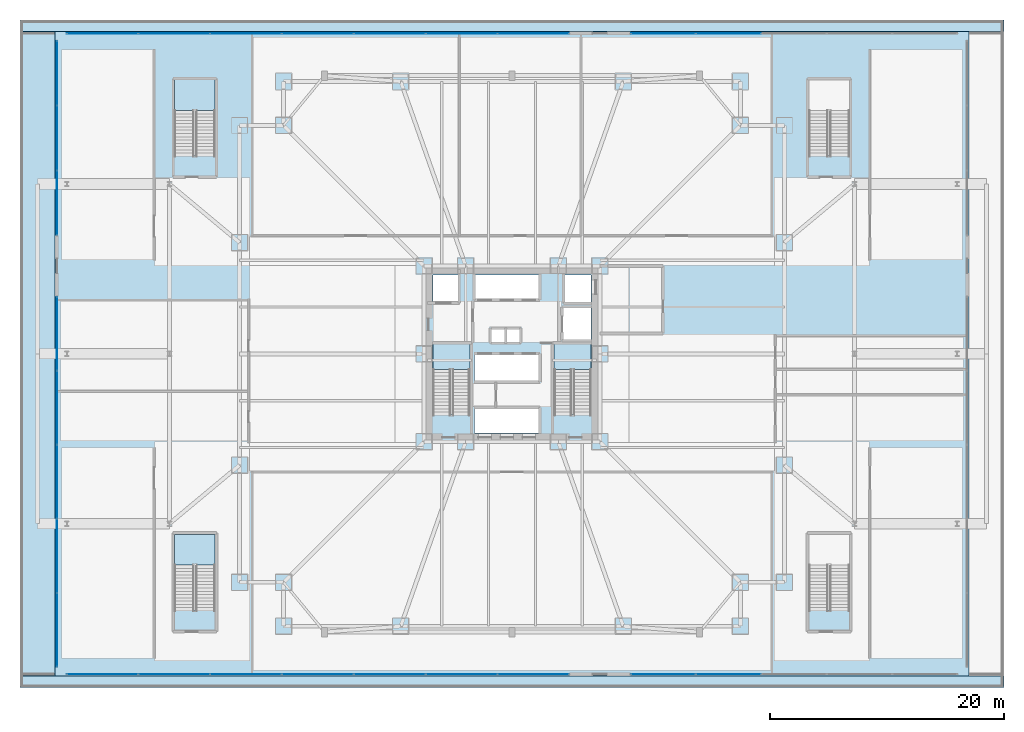
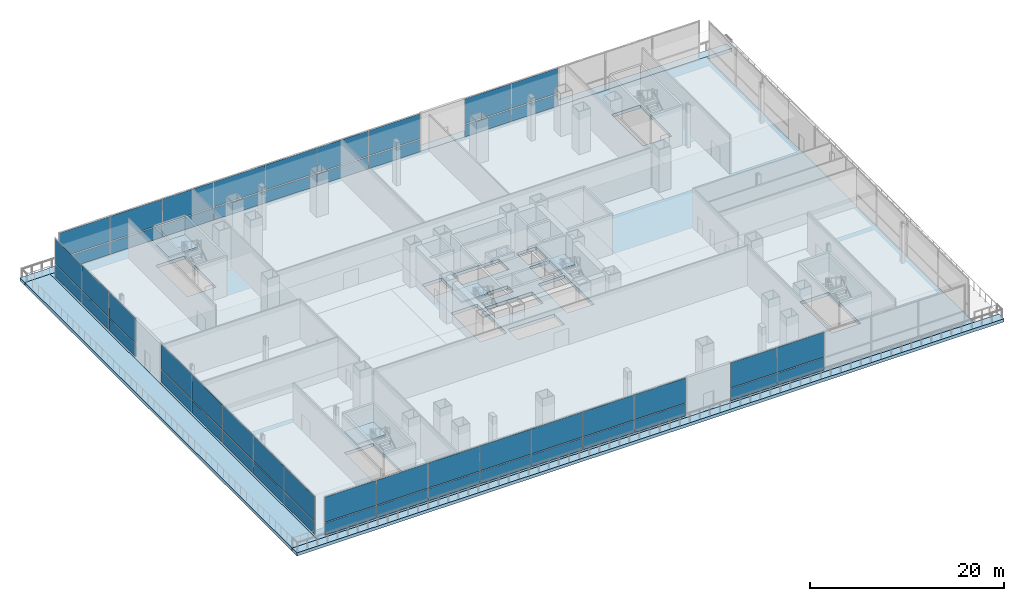
# One storey, part 19 of 36: 52 plates, 8 slabs, 10 elements without a shape of their own.
"""IFC4 building model written with IfcOpenShell, lengths in metres."""

from ifc_helpers import new_model, si_unit, direction, frame, origin, origin_2d, place, context, subcontext, project, spatial, polyline, rectangle, outline, extrude, material, layer, layer_set, type_object, element, aggregate, save


model = new_model("IFC4")

# Units and contexts
model_context = context("Model", 3, precision=1e-05, world=origin(), true_north=direction((0.0, 1.0)))
body_context = subcontext(model_context, "Body", "Model", "MODEL_VIEW")
ifc_project = project(units=[si_unit("LENGTHUNIT", "METRE"), si_unit("AREAUNIT", "SQUARE_METRE"), si_unit("VOLUMEUNIT", "CUBIC_METRE"), si_unit("PLANEANGLEUNIT", "RADIAN"), si_unit("MASSUNIT", "GRAM", prefix="KILO")], contexts=[model_context])

# Site, building, storey
site_placement = place(None, origin())
site = spatial("IfcSite", under=ifc_project, at=site_placement, CompositionType="ELEMENT")
building_placement = place(site_placement, origin())
building = spatial("IfcBuilding", under=site, at=building_placement, Name="Trevonay Congress Spire", CompositionType="ELEMENT")
storey_placement = place(building_placement, frame((0.0, 0.0, 5.39990234375)))
storey = spatial("IfcBuildingStorey", under=building, at=storey_placement, Name="L01", CompositionType="ELEMENT", Elevation=5.39990234375)

# Curtain wall, plates
ifc_material_1 = material(Name="Pale Anodised Aluminium EN AW-6063-T6", Category="aluminium")
ifc_layer_1 = layer(ifc_material_1, 0.179931640625, Name="Pale Anodised Aluminium EN AW-6063-T6")
ifc_layer_set_1 = layer_set([ifc_layer_1], Name="Pale Anodised Aluminium EN AW-6063-T6")
curtain_wall_type = type_object("IfcCurtainWallType", Name="CW-SYS01-PODIUM-PALE-METAL", PredefinedType="NOTDEFINED", material=ifc_layer_set_1)
curtain_wall_1_placement = place(storey_placement, origin())
curtain_wall_1 = element("IfcCurtainWall", 1, at=curtain_wall_1_placement, inside=storey, type_object=curtain_wall_type, Name="L01 W1 podium curtain wall", PredefinedType="NOTDEFINED")
ifc_material_2 = material(Name="Insulated Low-E Vision Glass IGU", Category="glass")
ifc_layer_2 = layer(ifc_material_2, 0.035888671875, Name="Insulated Low-E Vision Glass IGU")
ifc_layer_set_2 = layer_set([ifc_layer_2], Name="Insulated Low-E Vision Glass IGU")
plate_type = type_object("IfcPlateType", Name="CW-PANEL-IGU36-SILVER", PredefinedType="CURTAIN_PANEL", material=ifc_layer_set_2)
plate_1_placement = place(storey_placement, frame((-38.85009765625, -23.570068359375, 0.1201171875), z_axis=(0.0, 0.0, 1.0), x_axis=(0.0, 1.0, 0.0)))
plate_1 = element("IfcPlate", 2, at=plate_1_placement, type_object=plate_type, Name="CW01 panel 1.1", PredefinedType="CURTAIN_PANEL", context=body_context, shape_type="SweptSolid", body=[
    extrude(rectangle(XDim=6.239990234375, YDim=0.035888671875, at=origin_2d()), origin(), (0.0, 0.0, 1.0), 1.52001953125),
])
plate_2_placement = place(storey_placement, frame((-38.85009765625, -23.570068359375, 1.760009765625), z_axis=(0.0, 0.0, 1.0), x_axis=(0.0, 1.0, 0.0)))
plate_2 = element("IfcPlate", 3, at=plate_2_placement, type_object=plate_type, Name="CW01 panel 1.2", PredefinedType="CURTAIN_PANEL", context=body_context, shape_type="SweptSolid", body=[
    extrude(rectangle(XDim=6.239990234375, YDim=0.035888671875, at=origin_2d()), origin(), (0.0, 0.0, 1.0), 3.1201171875),
])
plate_3_placement = place(storey_placement, frame((-38.85009765625, -17.2548828125, 0.1201171875), z_axis=(0.0, 0.0, 1.0), x_axis=(0.0, 1.0, 0.0)))
plate_3 = element("IfcPlate", 4, at=plate_3_placement, type_object=plate_type, Name="CW01 panel 2.1", PredefinedType="CURTAIN_PANEL", context=body_context, shape_type="SweptSolid", body=[
    extrude(rectangle(XDim=6.27001953125, YDim=0.035888671875, at=origin_2d()), origin(), (0.0, 0.0, 1.0), 1.52001953125),
])
plate_4_placement = place(storey_placement, frame((-38.85009765625, -17.2548828125, 1.760009765625), z_axis=(0.0, 0.0, 1.0), x_axis=(0.0, 1.0, 0.0)))
plate_4 = element("IfcPlate", 5, at=plate_4_placement, type_object=plate_type, Name="CW01 panel 2.2", PredefinedType="CURTAIN_PANEL", context=body_context, shape_type="SweptSolid", body=[
    extrude(rectangle(XDim=6.27001953125, YDim=0.035888671875, at=origin_2d()), origin(), (0.0, 0.0, 1.0), 3.1201171875),
])
plate_5_placement = place(storey_placement, frame((-38.85009765625, -10.925048828125, 0.1201171875), z_axis=(0.0, 0.0, 1.0), x_axis=(0.0, 1.0, 0.0)))
plate_5 = element("IfcPlate", 6, at=plate_5_placement, type_object=plate_type, Name="CW01 panel 3.1", PredefinedType="CURTAIN_PANEL", context=body_context, shape_type="SweptSolid", body=[
    extrude(rectangle(XDim=6.27001953125, YDim=0.035888671875, at=origin_2d()), origin(), (0.0, 0.0, 1.0), 1.52001953125),
])
plate_6_placement = place(storey_placement, frame((-38.85009765625, -10.925048828125, 1.760009765625), z_axis=(0.0, 0.0, 1.0), x_axis=(0.0, 1.0, 0.0)))
plate_6 = element("IfcPlate", 7, at=plate_6_placement, type_object=plate_type, Name="CW01 panel 3.2", PredefinedType="CURTAIN_PANEL", context=body_context, shape_type="SweptSolid", body=[
    extrude(rectangle(XDim=6.27001953125, YDim=0.035888671875, at=origin_2d()), origin(), (0.0, 0.0, 1.0), 3.1201171875),
])
plate_7_placement = place(storey_placement, frame((-38.85009765625, -4.594970703125, 0.1201171875), z_axis=(0.0, 0.0, 1.0), x_axis=(0.0, 1.0, 0.0)))
plate_7 = element("IfcPlate", 8, at=plate_7_placement, type_object=plate_type, Name="CW01 panel 4.1", PredefinedType="CURTAIN_PANEL", context=body_context, shape_type="SweptSolid", body=[
    extrude(rectangle(XDim=6.27001953125, YDim=0.035888671875, at=origin_2d()), origin(), (0.0, 0.0, 1.0), 1.52001953125),
])
plate_8_placement = place(storey_placement, frame((-38.85009765625, -4.594970703125, 1.760009765625), z_axis=(0.0, 0.0, 1.0), x_axis=(0.0, 1.0, 0.0)))
plate_8 = element("IfcPlate", 9, at=plate_8_placement, type_object=plate_type, Name="CW01 panel 4.2", PredefinedType="CURTAIN_PANEL", context=body_context, shape_type="SweptSolid", body=[
    extrude(rectangle(XDim=6.27001953125, YDim=0.035888671875, at=origin_2d()), origin(), (0.0, 0.0, 1.0), 3.1201171875),
])
plate_9_placement = place(storey_placement, frame((-38.85009765625, 1.719970703125, 0.1201171875), z_axis=(0.0, 0.0, 1.0), x_axis=(0.0, 1.0, 0.0)))
plate_9 = element("IfcPlate", 10, at=plate_9_placement, type_object=plate_type, Name="CW01 panel 5.1", PredefinedType="CURTAIN_PANEL", context=body_context, shape_type="SweptSolid", body=[
    extrude(rectangle(XDim=6.239990234375, YDim=0.035888671875, at=origin_2d()), origin(), (0.0, 0.0, 1.0), 1.52001953125),
])
plate_10_placement = place(storey_placement, frame((-38.85009765625, 1.719970703125, 1.760009765625), z_axis=(0.0, 0.0, 1.0), x_axis=(0.0, 1.0, 0.0)))
plate_10 = element("IfcPlate", 11, at=plate_10_placement, type_object=plate_type, Name="CW01 panel 5.2", PredefinedType="CURTAIN_PANEL", context=body_context, shape_type="SweptSolid", body=[
    extrude(rectangle(XDim=6.239990234375, YDim=0.035888671875, at=origin_2d()), origin(), (0.0, 0.0, 1.0), 3.1201171875),
])
aggregate(curtain_wall_1, [plate_1, plate_2, plate_3, plate_4, plate_5, plate_6, plate_7, plate_8, plate_9, plate_10])

curtain_wall_2_placement = place(storey_placement, origin())
curtain_wall_2 = element("IfcCurtainWall", 12, at=curtain_wall_2_placement, inside=storey, type_object=curtain_wall_type, Name="L01 W2 podium curtain wall", PredefinedType="NOTDEFINED")
plate_11_placement = place(storey_placement, frame((-38.85009765625, 12.889892578125, 0.1201171875), z_axis=(0.0, 0.0, 1.0), x_axis=(0.0, 1.0, 0.0)))
plate_11 = element("IfcPlate", 13, at=plate_11_placement, type_object=plate_type, Name="CW01 panel 1.1", PredefinedType="CURTAIN_PANEL", context=body_context, shape_type="SweptSolid", body=[
    extrude(rectangle(XDim=5.4599609375, YDim=0.035888671875, at=origin_2d()), origin(), (0.0, 0.0, 1.0), 1.52001953125),
])
plate_12_placement = place(storey_placement, frame((-38.85009765625, 12.889892578125, 1.760009765625), z_axis=(0.0, 0.0, 1.0), x_axis=(0.0, 1.0, 0.0)))
plate_12 = element("IfcPlate", 14, at=plate_12_placement, type_object=plate_type, Name="CW01 panel 1.2", PredefinedType="CURTAIN_PANEL", context=body_context, shape_type="SweptSolid", body=[
    extrude(rectangle(XDim=5.4599609375, YDim=0.035888671875, at=origin_2d()), origin(), (0.0, 0.0, 1.0), 3.1201171875),
])
plate_13_placement = place(storey_placement, frame((-38.85009765625, 18.425048828125, 0.1201171875), z_axis=(0.0, 0.0, 1.0), x_axis=(0.0, 1.0, 0.0)))
plate_13 = element("IfcPlate", 15, at=plate_13_placement, type_object=plate_type, Name="CW01 panel 2.1", PredefinedType="CURTAIN_PANEL", context=body_context, shape_type="SweptSolid", body=[
    extrude(rectangle(XDim=5.489990234375, YDim=0.035888671875, at=origin_2d()), origin(), (0.0, 0.0, 1.0), 1.52001953125),
])
plate_14_placement = place(storey_placement, frame((-38.85009765625, 18.425048828125, 1.760009765625), z_axis=(0.0, 0.0, 1.0), x_axis=(0.0, 1.0, 0.0)))
plate_14 = element("IfcPlate", 16, at=plate_14_placement, type_object=plate_type, Name="CW01 panel 2.2", PredefinedType="CURTAIN_PANEL", context=body_context, shape_type="SweptSolid", body=[
    extrude(rectangle(XDim=5.489990234375, YDim=0.035888671875, at=origin_2d()), origin(), (0.0, 0.0, 1.0), 3.1201171875),
])
plate_15_placement = place(storey_placement, frame((-38.85009765625, 23.9599609375, 0.1201171875), z_axis=(0.0, 0.0, 1.0), x_axis=(0.0, 1.0, 0.0)))
plate_15 = element("IfcPlate", 17, at=plate_15_placement, type_object=plate_type, Name="CW01 panel 3.1", PredefinedType="CURTAIN_PANEL", context=body_context, shape_type="SweptSolid", body=[
    extrude(rectangle(XDim=5.4599609375, YDim=0.035888671875, at=origin_2d()), origin(), (0.0, 0.0, 1.0), 1.52001953125),
])
plate_16_placement = place(storey_placement, frame((-38.85009765625, 23.9599609375, 1.760009765625), z_axis=(0.0, 0.0, 1.0), x_axis=(0.0, 1.0, 0.0)))
plate_16 = element("IfcPlate", 18, at=plate_16_placement, type_object=plate_type, Name="CW01 panel 3.2", PredefinedType="CURTAIN_PANEL", context=body_context, shape_type="SweptSolid", body=[
    extrude(rectangle(XDim=5.4599609375, YDim=0.035888671875, at=origin_2d()), origin(), (0.0, 0.0, 1.0), 3.1201171875),
])
aggregate(curtain_wall_2, [plate_11, plate_12, plate_13, plate_14, plate_15, plate_16])

curtain_wall_3_placement = place(storey_placement, origin())
curtain_wall_3 = element("IfcCurtainWall", 19, at=curtain_wall_3_placement, inside=storey, type_object=curtain_wall_type, Name="L01 S1 podium curtain wall", PredefinedType="NOTDEFINED")
plate_17_placement = place(storey_placement, frame((-34.967041015625, -27.35009765625, 0.1201171875), z_axis=(0.0, 0.0, 1.0), x_axis=(1.0, 0.0, 0.0)))
plate_17 = element("IfcPlate", 20, at=plate_17_placement, type_object=plate_type, Name="CW01 panel 1.1", PredefinedType="CURTAIN_PANEL", context=body_context, shape_type="SweptSolid", body=[
    extrude(rectangle(XDim=6.045654296875, YDim=0.035888671875, at=origin_2d()), origin(), (0.0, 0.0, 1.0), 1.52001953125),
])
plate_18_placement = place(storey_placement, frame((-34.967041015625, -27.35009765625, 1.760009765625), z_axis=(0.0, 0.0, 1.0), x_axis=(1.0, 0.0, 0.0)))
plate_18 = element("IfcPlate", 21, at=plate_18_placement, type_object=plate_type, Name="CW01 panel 1.2", PredefinedType="CURTAIN_PANEL", context=body_context, shape_type="SweptSolid", body=[
    extrude(rectangle(XDim=6.045654296875, YDim=0.035888671875, at=origin_2d()), origin(), (0.0, 0.0, 1.0), 3.1201171875),
])
plate_19_placement = place(storey_placement, frame((-28.846435546875, -27.35009765625, 0.1201171875), z_axis=(0.0, 0.0, 1.0), x_axis=(1.0, 0.0, 0.0)))
plate_19 = element("IfcPlate", 22, at=plate_19_placement, type_object=plate_type, Name="CW01 panel 2.1", PredefinedType="CURTAIN_PANEL", context=body_context, shape_type="SweptSolid", body=[
    extrude(rectangle(XDim=6.07568359375, YDim=0.035888671875, at=origin_2d()), origin(), (0.0, 0.0, 1.0), 1.52001953125),
])
plate_20_placement = place(storey_placement, frame((-28.846435546875, -27.35009765625, 1.760009765625), z_axis=(0.0, 0.0, 1.0), x_axis=(1.0, 0.0, 0.0)))
plate_20 = element("IfcPlate", 23, at=plate_20_placement, type_object=plate_type, Name="CW01 panel 2.2", PredefinedType="CURTAIN_PANEL", context=body_context, shape_type="SweptSolid", body=[
    extrude(rectangle(XDim=6.07568359375, YDim=0.035888671875, at=origin_2d()), origin(), (0.0, 0.0, 1.0), 3.1201171875),
])
plate_21_placement = place(storey_placement, frame((-22.710693359375, -27.35009765625, 0.1201171875), z_axis=(0.0, 0.0, 1.0), x_axis=(1.0, 0.0, 0.0)))
plate_21 = element("IfcPlate", 24, at=plate_21_placement, type_object=plate_type, Name="CW01 panel 3.1", PredefinedType="CURTAIN_PANEL", context=body_context, shape_type="SweptSolid", body=[
    extrude(rectangle(XDim=6.07568359375, YDim=0.035888671875, at=origin_2d()), origin(), (0.0, 0.0, 1.0), 1.52001953125),
])
plate_22_placement = place(storey_placement, frame((-22.710693359375, -27.35009765625, 1.760009765625), z_axis=(0.0, 0.0, 1.0), x_axis=(1.0, 0.0, 0.0)))
plate_22 = element("IfcPlate", 25, at=plate_22_placement, type_object=plate_type, Name="CW01 panel 3.2", PredefinedType="CURTAIN_PANEL", context=body_context, shape_type="SweptSolid", body=[
    extrude(rectangle(XDim=6.07568359375, YDim=0.035888671875, at=origin_2d()), origin(), (0.0, 0.0, 1.0), 3.1201171875),
])
plate_23_placement = place(storey_placement, frame((-16.574951171875, -27.35009765625, 0.1201171875), z_axis=(0.0, 0.0, 1.0), x_axis=(1.0, 0.0, 0.0)))
plate_23 = element("IfcPlate", 26, at=plate_23_placement, type_object=plate_type, Name="CW01 panel 4.1", PredefinedType="CURTAIN_PANEL", context=body_context, shape_type="SweptSolid", body=[
    extrude(rectangle(XDim=6.07568359375, YDim=0.035888671875, at=origin_2d()), origin(), (0.0, 0.0, 1.0), 1.52001953125),
])
plate_24_placement = place(storey_placement, frame((-16.574951171875, -27.35009765625, 1.760009765625), z_axis=(0.0, 0.0, 1.0), x_axis=(1.0, 0.0, 0.0)))
plate_24 = element("IfcPlate", 27, at=plate_24_placement, type_object=plate_type, Name="CW01 panel 4.2", PredefinedType="CURTAIN_PANEL", context=body_context, shape_type="SweptSolid", body=[
    extrude(rectangle(XDim=6.07568359375, YDim=0.035888671875, at=origin_2d()), origin(), (0.0, 0.0, 1.0), 3.1201171875),
])
plate_25_placement = place(storey_placement, frame((-10.439208984375, -27.35009765625, 0.1201171875), z_axis=(0.0, 0.0, 1.0), x_axis=(1.0, 0.0, 0.0)))
plate_25 = element("IfcPlate", 28, at=plate_25_placement, type_object=plate_type, Name="CW01 panel 5.1", PredefinedType="CURTAIN_PANEL", context=body_context, shape_type="SweptSolid", body=[
    extrude(rectangle(XDim=6.07568359375, YDim=0.035888671875, at=origin_2d()), origin(), (0.0, 0.0, 1.0), 1.52001953125),
])
plate_26_placement = place(storey_placement, frame((-10.439208984375, -27.35009765625, 1.760009765625), z_axis=(0.0, 0.0, 1.0), x_axis=(1.0, 0.0, 0.0)))
plate_26 = element("IfcPlate", 29, at=plate_26_placement, type_object=plate_type, Name="CW01 panel 5.2", PredefinedType="CURTAIN_PANEL", context=body_context, shape_type="SweptSolid", body=[
    extrude(rectangle(XDim=6.07568359375, YDim=0.035888671875, at=origin_2d()), origin(), (0.0, 0.0, 1.0), 3.1201171875),
])
plate_27_placement = place(storey_placement, frame((-4.303466796875, -27.35009765625, 0.1201171875), z_axis=(0.0, 0.0, 1.0), x_axis=(1.0, 0.0, 0.0)))
plate_27 = element("IfcPlate", 30, at=plate_27_placement, type_object=plate_type, Name="CW01 panel 6.1", PredefinedType="CURTAIN_PANEL", context=body_context, shape_type="SweptSolid", body=[
    extrude(rectangle(XDim=6.07568359375, YDim=0.035888671875, at=origin_2d()), origin(), (0.0, 0.0, 1.0), 1.52001953125),
])
plate_28_placement = place(storey_placement, frame((-4.303466796875, -27.35009765625, 1.760009765625), z_axis=(0.0, 0.0, 1.0), x_axis=(1.0, 0.0, 0.0)))
plate_28 = element("IfcPlate", 31, at=plate_28_placement, type_object=plate_type, Name="CW01 panel 6.2", PredefinedType="CURTAIN_PANEL", context=body_context, shape_type="SweptSolid", body=[
    extrude(rectangle(XDim=6.07568359375, YDim=0.035888671875, at=origin_2d()), origin(), (0.0, 0.0, 1.0), 3.1201171875),
])
plate_29_placement = place(storey_placement, frame((1.817138671875, -27.35009765625, 0.1201171875), z_axis=(0.0, 0.0, 1.0), x_axis=(1.0, 0.0, 0.0)))
plate_29 = element("IfcPlate", 32, at=plate_29_placement, type_object=plate_type, Name="CW01 panel 7.1", PredefinedType="CURTAIN_PANEL", context=body_context, shape_type="SweptSolid", body=[
    extrude(rectangle(XDim=6.045654296875, YDim=0.035888671875, at=origin_2d()), origin(), (0.0, 0.0, 1.0), 1.52001953125),
])
plate_30_placement = place(storey_placement, frame((1.817138671875, -27.35009765625, 1.760009765625), z_axis=(0.0, 0.0, 1.0), x_axis=(1.0, 0.0, 0.0)))
plate_30 = element("IfcPlate", 33, at=plate_30_placement, type_object=plate_type, Name="CW01 panel 7.2", PredefinedType="CURTAIN_PANEL", context=body_context, shape_type="SweptSolid", body=[
    extrude(rectangle(XDim=6.045654296875, YDim=0.035888671875, at=origin_2d()), origin(), (0.0, 0.0, 1.0), 3.1201171875),
])
aggregate(curtain_wall_3, [plate_17, plate_18, plate_19, plate_20, plate_21, plate_22, plate_23, plate_24, plate_25, plate_26, plate_27, plate_28, plate_29, plate_30])

curtain_wall_4_placement = place(storey_placement, origin())
curtain_wall_4 = element("IfcCurtainWall", 34, at=curtain_wall_4_placement, inside=storey, type_object=curtain_wall_type, Name="L01 S2 podium curtain wall", PredefinedType="NOTDEFINED")
plate_31_placement = place(storey_placement, frame((12.909912109375, -27.35009765625, 0.1201171875), z_axis=(0.0, 0.0, 1.0), x_axis=(1.0, 0.0, 0.0)))
plate_31 = element("IfcPlate", 35, at=plate_31_placement, type_object=plate_type, Name="CW01 panel 1.1", PredefinedType="CURTAIN_PANEL", context=body_context, shape_type="SweptSolid", body=[
    extrude(rectangle(XDim=5.5, YDim=0.035888671875, at=origin_2d()), origin(), (0.0, 0.0, 1.0), 1.52001953125),
])
plate_32_placement = place(storey_placement, frame((12.909912109375, -27.35009765625, 1.760009765625), z_axis=(0.0, 0.0, 1.0), x_axis=(1.0, 0.0, 0.0)))
plate_32 = element("IfcPlate", 36, at=plate_32_placement, type_object=plate_type, Name="CW01 panel 1.2", PredefinedType="CURTAIN_PANEL", context=body_context, shape_type="SweptSolid", body=[
    extrude(rectangle(XDim=5.5, YDim=0.035888671875, at=origin_2d()), origin(), (0.0, 0.0, 1.0), 3.1201171875),
])
plate_33_placement = place(storey_placement, frame((18.485107421875, -27.35009765625, 0.1201171875), z_axis=(0.0, 0.0, 1.0), x_axis=(1.0, 0.0, 0.0)))
plate_33 = element("IfcPlate", 37, at=plate_33_placement, type_object=plate_type, Name="CW01 panel 2.1", PredefinedType="CURTAIN_PANEL", context=body_context, shape_type="SweptSolid", body=[
    extrude(rectangle(XDim=5.530029296875, YDim=0.035888671875, at=origin_2d()), origin(), (0.0, 0.0, 1.0), 1.52001953125),
])
plate_34_placement = place(storey_placement, frame((18.485107421875, -27.35009765625, 1.760009765625), z_axis=(0.0, 0.0, 1.0), x_axis=(1.0, 0.0, 0.0)))
plate_34 = element("IfcPlate", 38, at=plate_34_placement, type_object=plate_type, Name="CW01 panel 2.2", PredefinedType="CURTAIN_PANEL", context=body_context, shape_type="SweptSolid", body=[
    extrude(rectangle(XDim=5.530029296875, YDim=0.035888671875, at=origin_2d()), origin(), (0.0, 0.0, 1.0), 3.1201171875),
])
aggregate(curtain_wall_4, [plate_31, plate_32, plate_33, plate_34])

curtain_wall_5_placement = place(storey_placement, origin())
curtain_wall_5 = element("IfcCurtainWall", 39, at=curtain_wall_5_placement, inside=storey, type_object=curtain_wall_type, Name="L01 N1 podium curtain wall", PredefinedType="NOTDEFINED")
plate_35_placement = place(storey_placement, frame((-34.967041015625, 27.35009765625, 0.1201171875), z_axis=(0.0, 0.0, 1.0), x_axis=(1.0, 0.0, 0.0)))
plate_35 = element("IfcPlate", 40, at=plate_35_placement, type_object=plate_type, Name="CW01 panel 1.1", PredefinedType="CURTAIN_PANEL", context=body_context, shape_type="SweptSolid", body=[
    extrude(rectangle(XDim=6.045654296875, YDim=0.035888671875, at=origin_2d()), origin(), (0.0, 0.0, 1.0), 1.52001953125),
])
plate_36_placement = place(storey_placement, frame((-34.967041015625, 27.35009765625, 1.760009765625), z_axis=(0.0, 0.0, 1.0), x_axis=(1.0, 0.0, 0.0)))
plate_36 = element("IfcPlate", 41, at=plate_36_placement, type_object=plate_type, Name="CW01 panel 1.2", PredefinedType="CURTAIN_PANEL", context=body_context, shape_type="SweptSolid", body=[
    extrude(rectangle(XDim=6.045654296875, YDim=0.035888671875, at=origin_2d()), origin(), (0.0, 0.0, 1.0), 3.1201171875),
])
plate_37_placement = place(storey_placement, frame((-28.846435546875, 27.35009765625, 0.1201171875), z_axis=(0.0, 0.0, 1.0), x_axis=(1.0, 0.0, 0.0)))
plate_37 = element("IfcPlate", 42, at=plate_37_placement, type_object=plate_type, Name="CW01 panel 2.1", PredefinedType="CURTAIN_PANEL", context=body_context, shape_type="SweptSolid", body=[
    extrude(rectangle(XDim=6.07568359375, YDim=0.035888671875, at=origin_2d()), origin(), (0.0, 0.0, 1.0), 1.52001953125),
])
plate_38_placement = place(storey_placement, frame((-28.846435546875, 27.35009765625, 1.760009765625), z_axis=(0.0, 0.0, 1.0), x_axis=(1.0, 0.0, 0.0)))
plate_38 = element("IfcPlate", 43, at=plate_38_placement, type_object=plate_type, Name="CW01 panel 2.2", PredefinedType="CURTAIN_PANEL", context=body_context, shape_type="SweptSolid", body=[
    extrude(rectangle(XDim=6.07568359375, YDim=0.035888671875, at=origin_2d()), origin(), (0.0, 0.0, 1.0), 3.1201171875),
])
plate_39_placement = place(storey_placement, frame((-22.710693359375, 27.35009765625, 0.1201171875), z_axis=(0.0, 0.0, 1.0), x_axis=(1.0, 0.0, 0.0)))
plate_39 = element("IfcPlate", 44, at=plate_39_placement, type_object=plate_type, Name="CW01 panel 3.1", PredefinedType="CURTAIN_PANEL", context=body_context, shape_type="SweptSolid", body=[
    extrude(rectangle(XDim=6.07568359375, YDim=0.035888671875, at=origin_2d()), origin(), (0.0, 0.0, 1.0), 1.52001953125),
])
plate_40_placement = place(storey_placement, frame((-22.710693359375, 27.35009765625, 1.760009765625), z_axis=(0.0, 0.0, 1.0), x_axis=(1.0, 0.0, 0.0)))
plate_40 = element("IfcPlate", 45, at=plate_40_placement, type_object=plate_type, Name="CW01 panel 3.2", PredefinedType="CURTAIN_PANEL", context=body_context, shape_type="SweptSolid", body=[
    extrude(rectangle(XDim=6.07568359375, YDim=0.035888671875, at=origin_2d()), origin(), (0.0, 0.0, 1.0), 3.1201171875),
])
plate_41_placement = place(storey_placement, frame((-16.574951171875, 27.35009765625, 0.1201171875), z_axis=(0.0, 0.0, 1.0), x_axis=(1.0, 0.0, 0.0)))
plate_41 = element("IfcPlate", 46, at=plate_41_placement, type_object=plate_type, Name="CW01 panel 4.1", PredefinedType="CURTAIN_PANEL", context=body_context, shape_type="SweptSolid", body=[
    extrude(rectangle(XDim=6.07568359375, YDim=0.035888671875, at=origin_2d()), origin(), (0.0, 0.0, 1.0), 1.52001953125),
])
plate_42_placement = place(storey_placement, frame((-16.574951171875, 27.35009765625, 1.760009765625), z_axis=(0.0, 0.0, 1.0), x_axis=(1.0, 0.0, 0.0)))
plate_42 = element("IfcPlate", 47, at=plate_42_placement, type_object=plate_type, Name="CW01 panel 4.2", PredefinedType="CURTAIN_PANEL", context=body_context, shape_type="SweptSolid", body=[
    extrude(rectangle(XDim=6.07568359375, YDim=0.035888671875, at=origin_2d()), origin(), (0.0, 0.0, 1.0), 3.1201171875),
])
plate_43_placement = place(storey_placement, frame((-10.439208984375, 27.35009765625, 0.1201171875), z_axis=(0.0, 0.0, 1.0), x_axis=(1.0, 0.0, 0.0)))
plate_43 = element("IfcPlate", 48, at=plate_43_placement, type_object=plate_type, Name="CW01 panel 5.1", PredefinedType="CURTAIN_PANEL", context=body_context, shape_type="SweptSolid", body=[
    extrude(rectangle(XDim=6.07568359375, YDim=0.035888671875, at=origin_2d()), origin(), (0.0, 0.0, 1.0), 1.52001953125),
])
plate_44_placement = place(storey_placement, frame((-10.439208984375, 27.35009765625, 1.760009765625), z_axis=(0.0, 0.0, 1.0), x_axis=(1.0, 0.0, 0.0)))
plate_44 = element("IfcPlate", 49, at=plate_44_placement, type_object=plate_type, Name="CW01 panel 5.2", PredefinedType="CURTAIN_PANEL", context=body_context, shape_type="SweptSolid", body=[
    extrude(rectangle(XDim=6.07568359375, YDim=0.035888671875, at=origin_2d()), origin(), (0.0, 0.0, 1.0), 3.1201171875),
])
plate_45_placement = place(storey_placement, frame((-4.303466796875, 27.35009765625, 0.1201171875), z_axis=(0.0, 0.0, 1.0), x_axis=(1.0, 0.0, 0.0)))
plate_45 = element("IfcPlate", 50, at=plate_45_placement, type_object=plate_type, Name="CW01 panel 6.1", PredefinedType="CURTAIN_PANEL", context=body_context, shape_type="SweptSolid", body=[
    extrude(rectangle(XDim=6.07568359375, YDim=0.035888671875, at=origin_2d()), origin(), (0.0, 0.0, 1.0), 1.52001953125),
])
plate_46_placement = place(storey_placement, frame((-4.303466796875, 27.35009765625, 1.760009765625), z_axis=(0.0, 0.0, 1.0), x_axis=(1.0, 0.0, 0.0)))
plate_46 = element("IfcPlate", 51, at=plate_46_placement, type_object=plate_type, Name="CW01 panel 6.2", PredefinedType="CURTAIN_PANEL", context=body_context, shape_type="SweptSolid", body=[
    extrude(rectangle(XDim=6.07568359375, YDim=0.035888671875, at=origin_2d()), origin(), (0.0, 0.0, 1.0), 3.1201171875),
])
plate_47_placement = place(storey_placement, frame((1.817138671875, 27.35009765625, 0.1201171875), z_axis=(0.0, 0.0, 1.0), x_axis=(1.0, 0.0, 0.0)))
plate_47 = element("IfcPlate", 52, at=plate_47_placement, type_object=plate_type, Name="CW01 panel 7.1", PredefinedType="CURTAIN_PANEL", context=body_context, shape_type="SweptSolid", body=[
    extrude(rectangle(XDim=6.045654296875, YDim=0.035888671875, at=origin_2d()), origin(), (0.0, 0.0, 1.0), 1.52001953125),
])
plate_48_placement = place(storey_placement, frame((1.817138671875, 27.35009765625, 1.760009765625), z_axis=(0.0, 0.0, 1.0), x_axis=(1.0, 0.0, 0.0)))
plate_48 = element("IfcPlate", 53, at=plate_48_placement, type_object=plate_type, Name="CW01 panel 7.2", PredefinedType="CURTAIN_PANEL", context=body_context, shape_type="SweptSolid", body=[
    extrude(rectangle(XDim=6.045654296875, YDim=0.035888671875, at=origin_2d()), origin(), (0.0, 0.0, 1.0), 3.1201171875),
])
aggregate(curtain_wall_5, [plate_35, plate_36, plate_37, plate_38, plate_39, plate_40, plate_41, plate_42, plate_43, plate_44, plate_45, plate_46, plate_47, plate_48])

curtain_wall_6_placement = place(storey_placement, origin())
curtain_wall_6 = element("IfcCurtainWall", 54, at=curtain_wall_6_placement, inside=storey, type_object=curtain_wall_type, Name="L01 N2 podium curtain wall", PredefinedType="NOTDEFINED")
plate_49_placement = place(storey_placement, frame((12.909912109375, 27.35009765625, 0.1201171875), z_axis=(0.0, 0.0, 1.0), x_axis=(1.0, 0.0, 0.0)))
plate_49 = element("IfcPlate", 55, at=plate_49_placement, type_object=plate_type, Name="CW01 panel 1.1", PredefinedType="CURTAIN_PANEL", context=body_context, shape_type="SweptSolid", body=[
    extrude(rectangle(XDim=5.5, YDim=0.035888671875, at=origin_2d()), origin(), (0.0, 0.0, 1.0), 1.52001953125),
])
plate_50_placement = place(storey_placement, frame((12.909912109375, 27.35009765625, 1.760009765625), z_axis=(0.0, 0.0, 1.0), x_axis=(1.0, 0.0, 0.0)))
plate_50 = element("IfcPlate", 56, at=plate_50_placement, type_object=plate_type, Name="CW01 panel 1.2", PredefinedType="CURTAIN_PANEL", context=body_context, shape_type="SweptSolid", body=[
    extrude(rectangle(XDim=5.5, YDim=0.035888671875, at=origin_2d()), origin(), (0.0, 0.0, 1.0), 3.1201171875),
])
plate_51_placement = place(storey_placement, frame((18.485107421875, 27.35009765625, 0.1201171875), z_axis=(0.0, 0.0, 1.0), x_axis=(1.0, 0.0, 0.0)))
plate_51 = element("IfcPlate", 57, at=plate_51_placement, type_object=plate_type, Name="CW01 panel 2.1", PredefinedType="CURTAIN_PANEL", context=body_context, shape_type="SweptSolid", body=[
    extrude(rectangle(XDim=5.530029296875, YDim=0.035888671875, at=origin_2d()), origin(), (0.0, 0.0, 1.0), 1.52001953125),
])
plate_52_placement = place(storey_placement, frame((18.485107421875, 27.35009765625, 1.760009765625), z_axis=(0.0, 0.0, 1.0), x_axis=(1.0, 0.0, 0.0)))
plate_52 = element("IfcPlate", 58, at=plate_52_placement, type_object=plate_type, Name="CW01 panel 2.2", PredefinedType="CURTAIN_PANEL", context=body_context, shape_type="SweptSolid", body=[
    extrude(rectangle(XDim=5.530029296875, YDim=0.035888671875, at=origin_2d()), origin(), (0.0, 0.0, 1.0), 3.1201171875),
])
aggregate(curtain_wall_6, [plate_49, plate_50, plate_51, plate_52])

# Stair, slab
ifc_material_3 = material(Name="Concrete C40/50", Category="concrete")
stair_type_1 = type_object("IfcStairType", Name="STR-ST-1", PredefinedType="HALF_TURN_STAIR", material=ifc_material_3)
stair_1_placement = place(storey_placement, origin())
stair_1 = element("IfcStair", 59, at=stair_1_placement, inside=storey, type_object=stair_type_1, Name="L01 Protected Exit Stair ST-1", PredefinedType="HALF_TURN_STAIR")
ifc_layer_3 = layer(ifc_material_3, 0.199951171875, Name="Concrete C40/50")
ifc_layer_set_3 = layer_set([ifc_layer_3], Name="Concrete C40/50")
slab_type_1 = type_object("IfcSlabType", Name="SLB-STAIR-LAND-200", PredefinedType="LANDING", material=ifc_layer_set_3)
slab_1_placement = place(storey_placement, frame((0.0, 0.0, 2.5)))
slab_1 = element("IfcSlab", 60, at=slab_1_placement, type_object=slab_type_1, Name="ST-1 landing 1", PredefinedType="LANDING", context=body_context, shape_type="SweptSolid", body=[
    extrude(outline(polyline([(-3.60009765625, -1.330078125), (-3.60009765625, 0.85009765625), (-6.75, 0.85009765625), (-6.75, -1.330078125), (-3.60009765625, -1.330078125)])), origin(), (0.0, 0.0, 1.0), 0.2001953125),
])
aggregate(stair_1, [slab_1])

stair_type_2 = type_object("IfcStairType", Name="STR-ST-2", PredefinedType="HALF_TURN_STAIR", material=ifc_material_3)
stair_2_placement = place(storey_placement, origin())
stair_2 = element("IfcStair", 61, at=stair_2_placement, inside=storey, type_object=stair_type_2, Name="L01 Protected Exit Stair ST-2", PredefinedType="HALF_TURN_STAIR")
slab_2_placement = place(storey_placement, frame((0.0, 0.0, 2.5)))
slab_2 = element("IfcSlab", 62, at=slab_2_placement, type_object=slab_type_1, Name="ST-2 landing 1", PredefinedType="LANDING", context=body_context, shape_type="SweptSolid", body=[
    extrude(outline(polyline([(6.75, -1.330078125), (6.75, 0.85009765625), (3.60009765625, 0.85009765625), (3.60009765625, -1.330078125), (6.75, -1.330078125)])), origin(), (0.0, 0.0, 1.0), 0.2001953125),
])
aggregate(stair_2, [slab_2])

stair_type_3 = type_object("IfcStairType", Name="STR-ST-3", PredefinedType="HALF_TURN_STAIR", material=ifc_material_3)
stair_3_placement = place(storey_placement, origin())
stair_3 = element("IfcStair", 63, at=stair_3_placement, inside=storey, type_object=stair_type_3, Name="L01 Protected Exit Stair ST-3", PredefinedType="HALF_TURN_STAIR")
slab_3_placement = place(storey_placement, frame((0.0, 0.0, 2.5)))
slab_3 = element("IfcSlab", 64, at=slab_3_placement, type_object=slab_type_1, Name="ST-3 landing 1", PredefinedType="LANDING", context=body_context, shape_type="SweptSolid", body=[
    extrude(outline(polyline([(-25.35009765625, -18.030029296875), (-25.35009765625, -15.39990234375), (-28.800048828125, -15.39990234375), (-28.800048828125, -18.030029296875), (-25.35009765625, -18.030029296875)])), origin(), (0.0, 0.0, 1.0), 0.2001953125),
])
aggregate(stair_3, [slab_3])

stair_type_4 = type_object("IfcStairType", Name="STR-ST-5", PredefinedType="HALF_TURN_STAIR", material=ifc_material_3)
stair_4_placement = place(storey_placement, origin())
stair_4 = element("IfcStair", 65, at=stair_4_placement, inside=storey, type_object=stair_type_4, Name="L01 Protected Exit Stair ST-5", PredefinedType="HALF_TURN_STAIR")
slab_4_placement = place(storey_placement, frame((0.0, 0.0, 2.5)))
slab_4 = element("IfcSlab", 66, at=slab_4_placement, type_object=slab_type_1, Name="ST-5 landing 1", PredefinedType="LANDING", context=body_context, shape_type="SweptSolid", body=[
    extrude(outline(polyline([(-25.35009765625, 20.77001953125), (-25.35009765625, 23.39990234375), (-28.800048828125, 23.39990234375), (-28.800048828125, 20.77001953125), (-25.35009765625, 20.77001953125)])), origin(), (0.0, 0.0, 1.0), 0.2001953125),
])
aggregate(stair_4, [slab_4])

# Slabs
ifc_layer_4 = layer(ifc_material_3, 0.39990234375, Name="Concrete C40/50")
ifc_layer_set_4 = layer_set([ifc_layer_4], Name="Concrete C40/50")
slab_type_2 = type_object("IfcSlabType", Name="SLB-TERR-260", PredefinedType="ROOF", material=ifc_layer_set_4)
slab_5_placement = place(storey_placement, frame((0.0, 0.0, -0.39990234375)))
element("IfcSlab", 67, at=slab_5_placement, inside=storey, type_object=slab_type_2, Name="L01 West stepped podium roof terrace", PredefinedType="ROOF", context=body_context, shape_type="SweptSolid", body=[
    extrude(outline(polyline([(-42.0, -27.5), (-39.0, -27.5), (-39.0, 27.5), (-42.0, 27.5), (-42.0, -27.5)])), origin(), (0.0, 0.0, 1.0), 0.39990234375),
])
slab_6_placement = place(storey_placement, frame((0.0, 0.0, -0.39990234375)))
element("IfcSlab", 68, at=slab_6_placement, inside=storey, type_object=slab_type_2, Name="L01 South stepped podium roof terrace", PredefinedType="ROOF", context=body_context, shape_type="SweptSolid", body=[
    extrude(outline(polyline([(-42.0, -28.5), (42.0, -28.5), (42.0, -27.5), (-42.0, -27.5), (-42.0, -28.5)])), origin(), (0.0, 0.0, 1.0), 0.39990234375),
])
slab_7_placement = place(storey_placement, frame((0.0, 0.0, -0.39990234375)))
element("IfcSlab", 69, at=slab_7_placement, inside=storey, type_object=slab_type_2, Name="L01 North stepped podium roof terrace", PredefinedType="ROOF", context=body_context, shape_type="SweptSolid", body=[
    extrude(outline(polyline([(-42.0, 27.5), (42.0, 27.5), (42.0, 28.5), (-42.0, 28.5), (-42.0, 27.5)])), origin(), (0.0, 0.0, 1.0), 0.39990234375),
])
ifc_layer_5 = layer(ifc_material_3, 0.39990234375, Name="Concrete C40/50")
ifc_layer_set_5 = layer_set([ifc_layer_5], Name="Concrete C40/50")
slab_type_3 = type_object("IfcSlabType", Name="SLB-XFER-400", PredefinedType="FLOOR", material=ifc_layer_set_5)
slab_8_placement = place(storey_placement, frame((0.0, 0.0, -0.39990234375)))
element("IfcSlab", 70, at=slab_8_placement, inside=storey, type_object=slab_type_3, Name="L01 structural floor slab", PredefinedType="FLOOR", context=body_context, shape_type="SweptSolid", body=[
    extrude(outline(polyline([(-39.0, -27.5), (39.0, -27.5), (39.0, 27.5), (-39.0, 27.5), (-39.0, -27.5)]), holes=[polyline([(-3.60009765625, -5.14990234375), (-3.60009765625, 0.85009765625), (-6.75, 0.85009765625), (-6.75, -5.14990234375), (-3.60009765625, -5.14990234375)]), polyline([(6.75, -5.14990234375), (6.75, 0.85009765625), (3.60009765625, 0.85009765625), (3.60009765625, -5.14990234375), (6.75, -5.14990234375)]), polyline([(-25.35009765625, -21.85009765625), (-25.35009765625, -15.39990234375), (-28.800048828125, -15.39990234375), (-28.800048828125, -21.85009765625), (-25.35009765625, -21.85009765625)]), polyline([(28.800048828125, -21.85009765625), (28.800048828125, -15.39990234375), (25.35009765625, -15.39990234375), (25.35009765625, -21.85009765625), (28.800048828125, -21.85009765625)]), polyline([(-25.35009765625, 16.949951171875), (-25.35009765625, 23.39990234375), (-28.800048828125, 23.39990234375), (-28.800048828125, 16.949951171875), (-25.35009765625, 16.949951171875)]), polyline([(28.800048828125, 16.949951171875), (28.800048828125, 23.39990234375), (25.35009765625, 23.39990234375), (25.35009765625, 16.949951171875), (28.800048828125, 16.949951171875)]), polyline([(-3.199951171875, -6.75), (2.340087890625, -6.75), (2.340087890625, -4.64990234375), (-3.199951171875, -4.64990234375), (-3.199951171875, -6.75)]), polyline([(-3.199951171875, -2.35009765625), (2.340087890625, -2.35009765625), (2.340087890625, -0.050048828125), (-3.199951171875, -0.050048828125), (-3.199951171875, -2.35009765625)]), polyline([(-3.199951171875, 4.64990234375), (2.340087890625, 4.64990234375), (2.340087890625, 6.75), (-3.199951171875, 6.75), (-3.199951171875, 4.64990234375)]), polyline([(-6.75, 4.35009765625), (-4.449951171875, 4.35009765625), (-4.449951171875, 6.75), (-6.75, 6.75), (-6.75, 4.35009765625)]), polyline([(4.449951171875, 4.35009765625), (6.75, 4.35009765625), (6.75, 6.75), (4.449951171875, 6.75), (4.449951171875, 4.35009765625)]), polyline([(4.35009765625, 1.199951171875), (6.75, 1.199951171875), (6.75, 3.949951171875), (4.35009765625, 3.949951171875), (4.35009765625, 1.199951171875)]), polyline([(-1.800048828125, 0.949951171875), (0.699951171875, 0.949951171875), (0.699951171875, 2.14990234375), (-1.800048828125, 2.14990234375), (-1.800048828125, 0.949951171875)])]), origin(), (0.0, 0.0, 1.0), 0.39990234375),
])

save(model, "model.ifc")
